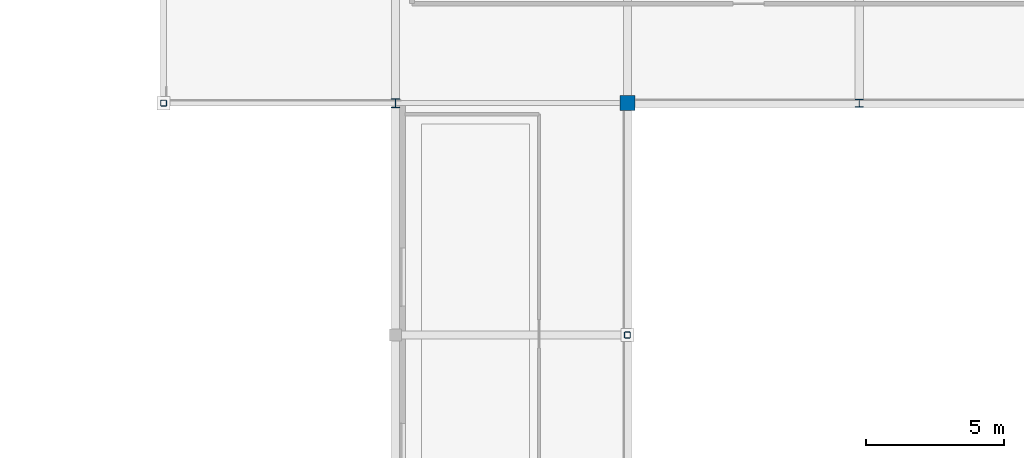
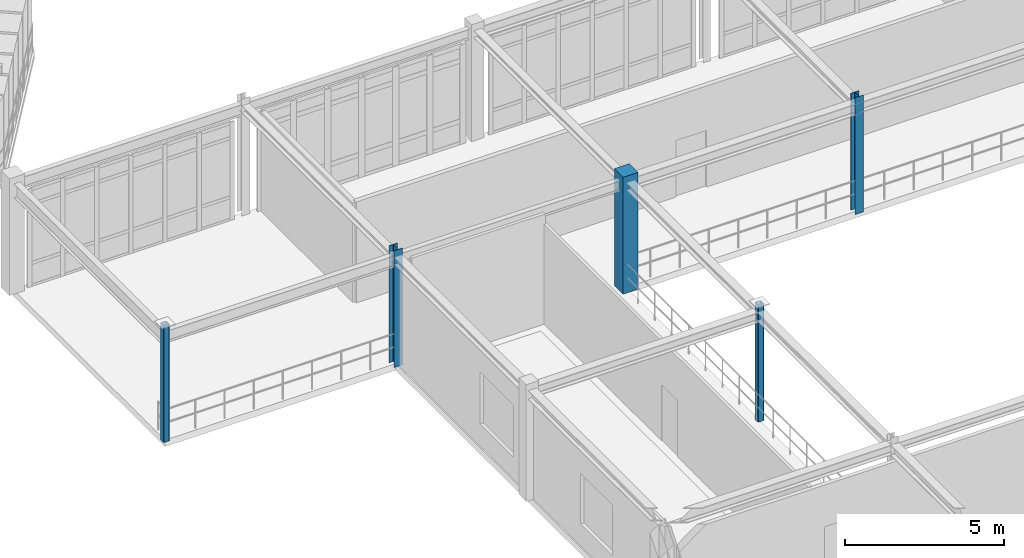
# One storey, part 9 of 106: 5 columns.
"""IFC4 building model written with IfcOpenShell, lengths in metres."""

from ifc_helpers import new_model, si_unit, derived_unit, direction, frame, origin, origin_2d, place, context, subcontext, project, spatial, rectangle, hollow_rectangle, i_section, extrude, material, material_profile, profile_set, type_object, element, save


model = new_model("IFC4")

# Units and contexts
model_context = context("Model", 3, precision=1e-05, world=origin(), true_north=direction((0.0, 1.0)))
body_context = subcontext(model_context, "Body", "Model", "MODEL_VIEW")
ifc_project = project(units=[si_unit("LENGTHUNIT", "METRE"), si_unit("AREAUNIT", "SQUARE_METRE"), si_unit("VOLUMEUNIT", "CUBIC_METRE"), si_unit("PLANEANGLEUNIT", "RADIAN"), si_unit("MASSUNIT", "GRAM", prefix="KILO"), derived_unit("THERMALTRANSMITTANCEUNIT", [(si_unit("POWERUNIT", "WATT"), 1), (si_unit("AREAUNIT", "SQUARE_METRE"), -1), (si_unit("THERMODYNAMICTEMPERATUREUNIT", "KELVIN"), -1)])], contexts=[model_context])

# Site, building, storey
site_placement = place(None, origin())
site = spatial("IfcSite", under=ifc_project, at=site_placement, CompositionType="ELEMENT")
building_placement = place(site_placement, origin())
building = spatial("IfcBuilding", under=site, at=building_placement, Name="Yasenodar Specialist Clinic", CompositionType="ELEMENT")
storey_placement = place(building_placement, frame((0.0, 0.0, 4.5)))
storey = spatial("IfcBuildingStorey", under=building, at=storey_placement, Name="L01", CompositionType="ELEMENT", Elevation=4.5)

# Columns
ifc_material_1 = material(Name="Concrete C35/45", Category="concrete")
ifc_material_profile_1 = material_profile(ifc_material_1, rectangle(XDim=0.550048828125, YDim=0.550048828125, at=origin_2d()), Name="RC 550x550")
ifc_profile_set_1 = profile_set([ifc_material_profile_1], Name="Concrete C35/45")
column_type_1 = type_object("IfcColumnType", Name="COL-RC-550", PredefinedType="COLUMN", material=ifc_profile_set_1)
column_1_placement = place(storey_placement, frame((113.39990234375, 25.199951171875, 0.0), z_axis=(0.0, 0.0, 1.0), x_axis=(1.0, 0.0, 0.0)))
element("IfcColumn", 1, at=column_1_placement, inside=storey, type_object=column_type_1, Name="L01 Column V3-130", PredefinedType="COLUMN", context=body_context, shape_type="SweptSolid", body=[
    extrude(rectangle(XDim=0.550048828125, YDim=0.550048828125, at=origin_2d()), origin(), (0.0, 0.0, 1.0), 4.5),
])
ifc_material_2 = material(Name="Steel S355", Category="steel")
ifc_material_profile_2 = material_profile(ifc_material_2, i_section(OverallWidth=0.300048828125, OverallDepth=0.2900390625, WebThickness=0.008544921875, FlangeThickness=0.013916015625, FilletRadius=0.027099609375, at=origin_2d()), Name="HEA 300")
ifc_profile_set_2 = profile_set([ifc_material_profile_2], Name="Steel S355")
column_type_2 = type_object("IfcColumnType", Name="COL-ST-HEA300", PredefinedType="COLUMN", material=ifc_profile_set_2)
column_2_placement = place(storey_placement, frame((121.800048828125, 25.199951171875, 0.0), z_axis=(0.0, 0.0, 1.0), x_axis=(1.0, 0.0, 0.0)))
element("IfcColumn", 2, at=column_2_placement, inside=storey, type_object=column_type_2, Name="L01 Column V3-139", PredefinedType="COLUMN", context=body_context, shape_type="SweptSolid", body=[
    extrude(i_section(OverallWidth=0.300048828125, OverallDepth=0.2900390625, WebThickness=0.008544921875, FlangeThickness=0.013916015625, FilletRadius=0.027099609375, at=origin_2d()), origin(), (0.0, 0.0, 1.0), 4.5),
])
ifc_material_profile_3 = material_profile(ifc_material_2, i_section(OverallWidth=0.300048828125, OverallDepth=0.330078125, WebThickness=0.009521484375, FlangeThickness=0.0166015625, FilletRadius=0.027099609375, at=origin_2d()), Name="HEA 340")
ifc_profile_set_3 = profile_set([ifc_material_profile_3], Name="Steel S355")
column_type_3 = type_object("IfcColumnType", Name="COL-ST-HEA340", PredefinedType="COLUMN", material=ifc_profile_set_3)
column_3_placement = place(storey_placement, frame((105.0, 25.199951171875, 0.0), z_axis=(0.0, 0.0, 1.0), x_axis=(1.0, 0.0, 0.0)))
element("IfcColumn", 3, at=column_3_placement, inside=storey, type_object=column_type_3, Name="L01 Column V3-120", PredefinedType="COLUMN", context=body_context, shape_type="SweptSolid", body=[
    extrude(i_section(OverallWidth=0.300048828125, OverallDepth=0.330078125, WebThickness=0.009521484375, FlangeThickness=0.0166015625, FilletRadius=0.027099609375, at=origin_2d()), origin(), (0.0, 0.0, 1.0), 4.5),
])
ifc_material_profile_4 = material_profile(ifc_material_2, hollow_rectangle(XDim=0.219970703125, YDim=0.219970703125, WallThickness=0.012451171875, InnerFilletRadius=0.018798828125, OuterFilletRadius=0.03125, at=origin_2d()), Name="SHS 220x220x12.5")
ifc_profile_set_4 = profile_set([ifc_material_profile_4], Name="Steel S355")
column_type_4 = type_object("IfcColumnType", Name="COL-ST-SHS220", PredefinedType="COLUMN", material=ifc_profile_set_4)
for number, where, z_axis, x_axis, name in (
    (4, (96.60009765625, 25.199951171875, 0.0), (0.0, 0.0, 1.0), (1.0, 0.0, 0.0), "L01 Column V3-111"),
    (5, (113.39990234375, 16.800048828125, 0.0), (0.0, 0.0, 1.0), (1.0, 0.0, 0.0), "L01 Column V3-129"),
):
    element("IfcColumn", number, at=place(storey_placement, frame(where, z_axis=z_axis, x_axis=x_axis)), inside=storey, type_object=column_type_4, Name=name, PredefinedType="COLUMN", context=body_context, shape_type="SweptSolid", body=[
        extrude(hollow_rectangle(XDim=0.219970703125, YDim=0.219970703125, WallThickness=0.012451171875, InnerFilletRadius=0.018798828125, OuterFilletRadius=0.03125, at=origin_2d()), origin(), (0.0, 0.0, 1.0), 4.5),
    ])

save(model, "model.ifc")
